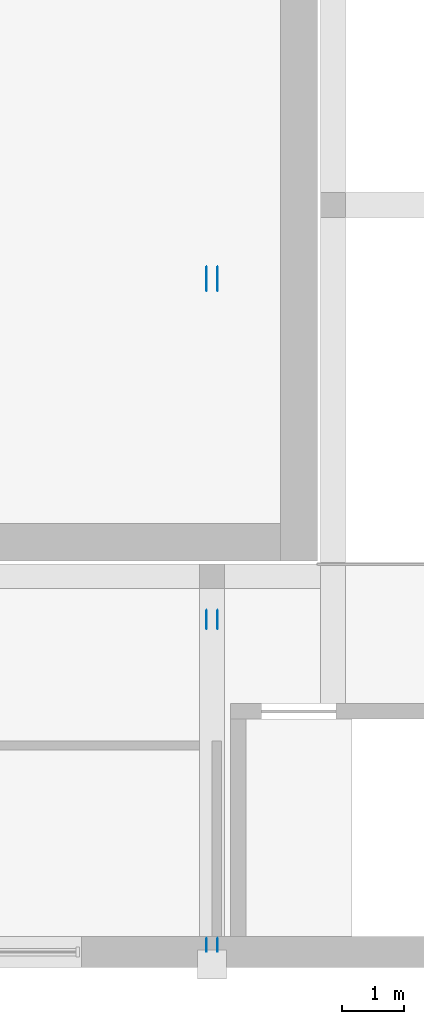
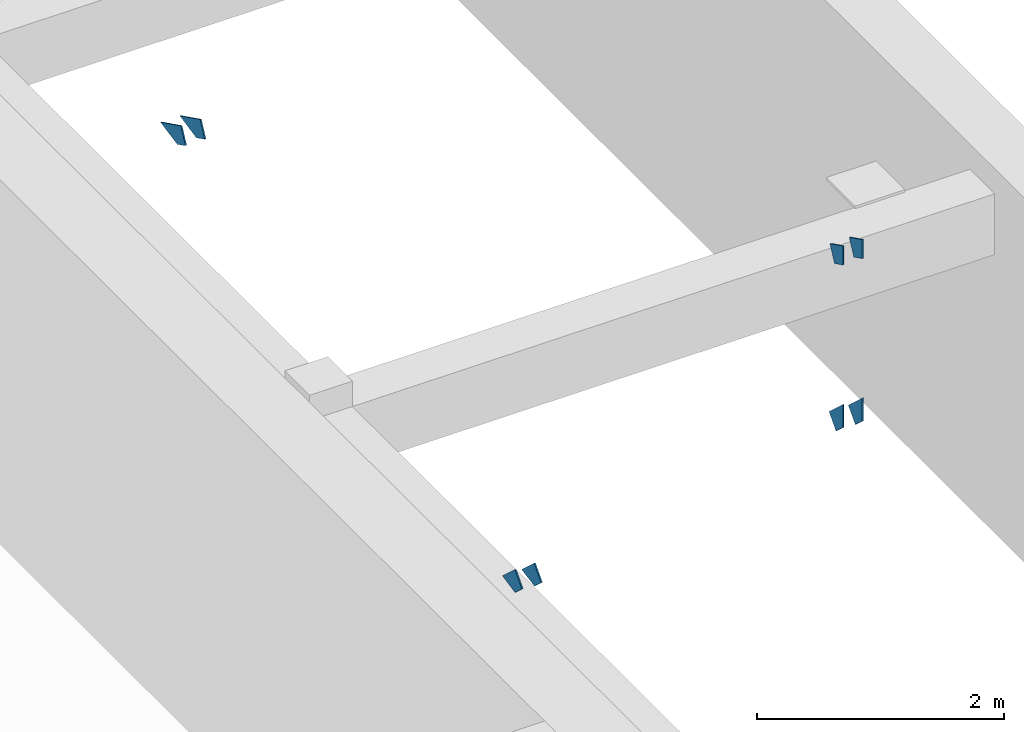
# One storey, part 19 of 28: 8 discrete accessories.
"""IFC4 building model written with IfcOpenShell, lengths in metres."""

from ifc_helpers import new_model, si_unit, direction, frame, origin, place, context, subcontext, project, spatial, polyline, outline, extrude, material, layer, layer_set, type_object, element, save


model = new_model("IFC4")

# Units and contexts
model_context = context("Model", 3, precision=1e-05, world=origin(), true_north=direction((0.0, 1.0)))
body_context = subcontext(model_context, "Body", "Model", "MODEL_VIEW")
ifc_project = project(units=[si_unit("LENGTHUNIT", "METRE"), si_unit("AREAUNIT", "SQUARE_METRE"), si_unit("VOLUMEUNIT", "CUBIC_METRE"), si_unit("PLANEANGLEUNIT", "RADIAN"), si_unit("MASSUNIT", "GRAM", prefix="KILO")], contexts=[model_context])

# Site, building, storey
site_placement = place(None, origin())
site = spatial("IfcSite", under=ifc_project, at=site_placement, CompositionType="ELEMENT")
building_placement = place(site_placement, origin())
building = spatial("IfcBuilding", under=site, at=building_placement, Name="Ljudholm Concert House", CompositionType="ELEMENT")
storey_placement = place(building_placement, frame((0.0, 0.0, 19.199951171875)))
storey = spatial("IfcBuildingStorey", under=building, at=storey_placement, Name="L04", CompositionType="ELEMENT", Elevation=19.199951171875)

# Discrete accessories
ifc_material = material(Name="Steel ASTM A36 plate", Category="steel")
ifc_layer = layer(ifc_material, 0.011962890625)
ifc_layer_set = layer_set([ifc_layer], Name="Steel ASTM A36 plate")
discrete_accessory_type = type_object("IfcDiscreteAccessoryType", Name="GUSSET PLATE 12", PredefinedType="BRACKET", material=ifc_layer_set)
for number, where, z_axis, x_axis, name in (
    (1, (87.909912109375, 54.4599609375, -19.199951171875), (0.0, 0.0, 1.0), (0.0, 1.0, 0.0), "Gusset plate"),
    (2, (88.090087890625, 54.4599609375, -19.199951171875), (0.0, 0.0, 1.0), (0.0, 1.0, 0.0), "Gusset plate"),
):
    element("IfcDiscreteAccessory", number, at=place(storey_placement, frame(where, z_axis=z_axis, x_axis=x_axis)), inside=storey, type_object=discrete_accessory_type, Name=name, PredefinedType="BRACKET", context=body_context, shape_type="SweptSolid", body=[
        extrude(outline(polyline([(0.053955078125, 30.19921875), (-0.056884765625, 30.30029296875), (-0.056884765625, 30.5283203125), (0.16748046875, 30.323486328125), (0.053955078125, 30.19921875)])), frame((0.0, 0.005859375, 0.0), z_axis=(0.0, -1.0, 0.0), x_axis=(1.0, 0.0, 0.0)), (0.0, 0.0, 1.0), 0.011962890625),
    ])
for number, where, z_axis, x_axis, name in (
    (3, (87.909912109375, 54.4599609375, -19.199951171875), (0.0, 0.0, 1.0), (0.0, 1.0, 0.0), "Gusset plate"),
    (4, (88.090087890625, 54.4599609375, -19.199951171875), (0.0, 0.0, 1.0), (0.0, 1.0, 0.0), "Gusset plate"),
):
    element("IfcDiscreteAccessory", number, at=place(storey_placement, frame(where, z_axis=z_axis, x_axis=x_axis)), inside=storey, type_object=discrete_accessory_type, Name=name, PredefinedType="BRACKET", context=body_context, shape_type="SweptSolid", body=[
        extrude(outline(polyline([(5.250732421875, 25.67919921875), (5.451904296875, 25.495361328125), (5.247802734375, 25.453857421875), (5.13720703125, 25.554931640625), (5.250732421875, 25.67919921875)])), frame((0.0, 0.005859375, 0.0), z_axis=(0.0, -1.0, 0.0), x_axis=(1.0, 0.0, 0.0)), (0.0, 0.0, 1.0), 0.011962890625),
    ])
for number, where, z_axis, x_axis, name in (
    (5, (87.909912109375, 54.440673828125, -19.199951171875), (0.0, 0.0, 1.0), (0.0, 1.0, 0.0), "Gusset plate"),
    (6, (88.090087890625, 54.440673828125, -19.199951171875), (0.0, 0.0, 1.0), (0.0, 1.0, 0.0), "Gusset plate"),
):
    element("IfcDiscreteAccessory", number, at=place(storey_placement, frame(where, z_axis=z_axis, x_axis=x_axis)), inside=storey, type_object=discrete_accessory_type, Name=name, PredefinedType="BRACKET", context=body_context, shape_type="SweptSolid", body=[
        extrude(outline(polyline([(0.096923828125, 31.8388671875), (-0.037353515625, 31.905517578125), (-0.037353515625, 32.09326171875), (0.171875, 31.989501953125), (0.096923828125, 31.8388671875)])), frame((0.0, 0.005859375, 0.0), z_axis=(0.0, -1.0, 0.0), x_axis=(1.0, 0.0, 0.0)), (0.0, 0.0, 1.0), 0.011962890625),
    ])
for number, where, z_axis, x_axis, name in (
    (7, (87.909912109375, 54.440673828125, -19.199951171875), (0.0, 0.0, 1.0), (0.0, 1.0, 0.0), "Gusset plate"),
    (8, (88.090087890625, 54.440673828125, -19.199951171875), (0.0, 0.0, 1.0), (0.0, 1.0, 0.0), "Gusset plate"),
):
    element("IfcDiscreteAccessory", number, at=place(storey_placement, frame(where, z_axis=z_axis, x_axis=x_axis)), inside=storey, type_object=discrete_accessory_type, Name=name, PredefinedType="BRACKET", context=body_context, shape_type="SweptSolid", body=[
        extrude(outline(polyline([(10.67529296875, 26.78369140625), (11.003662109375, 26.620849609375), (10.735107421875, 26.566162109375), (10.6005859375, 26.6328125), (10.67529296875, 26.78369140625)])), frame((0.0, 0.005859375, 0.0), z_axis=(0.0, -1.0, 0.0), x_axis=(1.0, 0.0, 0.0)), (0.0, 0.0, 1.0), 0.011962890625),
    ])

save(model, "model.ifc")
